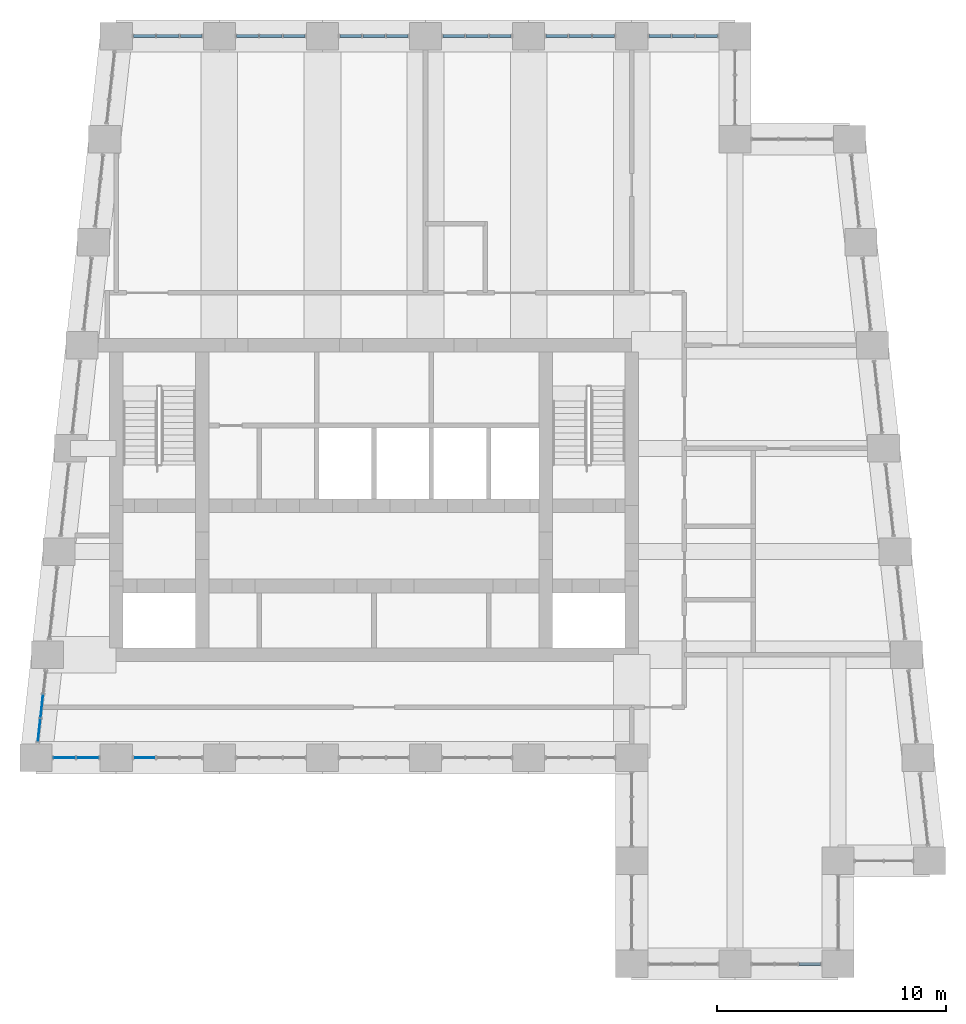
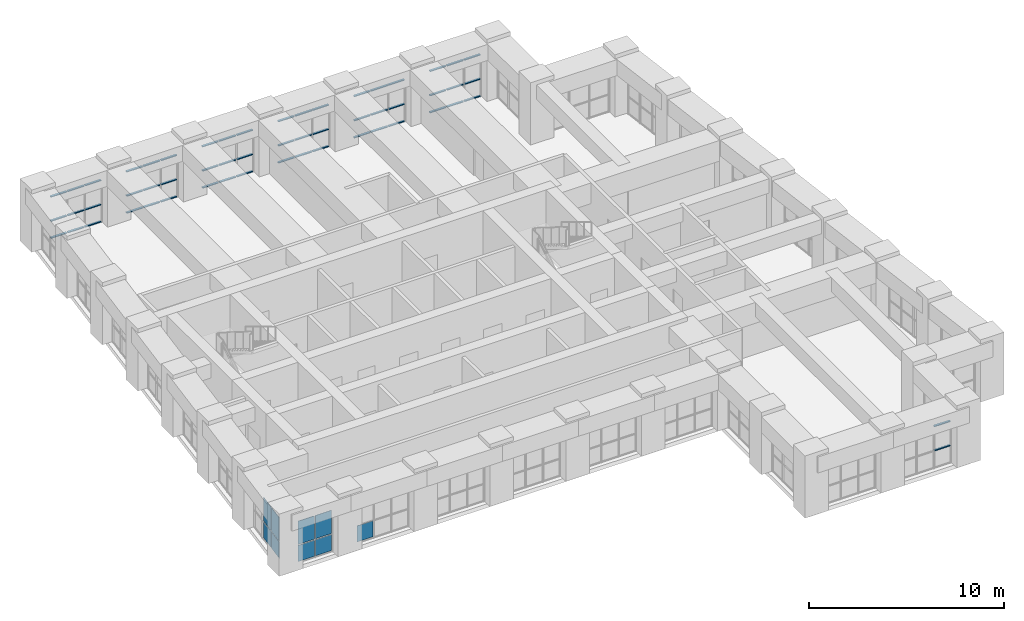
# One storey, part 11 of 18: 56 members, 9 plates, 10 elements without a shape of their own.
"""IFC4 building model written with IfcOpenShell, lengths in metres."""

from ifc_helpers import new_model, si_unit, direction, frame, origin, origin_2d, place, context, subcontext, project, spatial, rectangle, extrude, material, layer, layer_set, material_profile, profile_set, type_object, element, aggregate, save


model = new_model("IFC4")

# Units and contexts
model_context = context("Model", 3, precision=1e-05, world=origin(), true_north=direction((0.0, 1.0)))
body_context = subcontext(model_context, "Body", "Model", "MODEL_VIEW")
ifc_project = project(units=[si_unit("LENGTHUNIT", "METRE"), si_unit("AREAUNIT", "SQUARE_METRE"), si_unit("VOLUMEUNIT", "CUBIC_METRE"), si_unit("PLANEANGLEUNIT", "RADIAN"), si_unit("MASSUNIT", "GRAM", prefix="KILO")], contexts=[model_context])

# Site, building, storey
site_placement = place(None, origin())
site = spatial("IfcSite", under=ifc_project, at=site_placement, CompositionType="ELEMENT")
building_placement = place(site_placement, origin())
building = spatial("IfcBuilding", under=site, at=building_placement, Name="Kilele Tower Hotel", CompositionType="ELEMENT")
storey_placement = place(building_placement, frame((0.0, 0.0, 281.89990234375)))
storey = spatial("IfcBuildingStorey", under=building, at=storey_placement, Name="L72", CompositionType="ELEMENT", Elevation=281.89990234375)

# Curtain wall, members
ifc_material_1 = material(Name="Aluminium curtain wall, clear double glazing", Category="aluminium")
curtain_wall_type = type_object("IfcCurtainWallType", Name="Sky restaurant curtain wall CW-5", PredefinedType="NOTDEFINED", material=ifc_material_1)
curtain_wall_1_placement = place(storey_placement, origin())
curtain_wall_1 = element("IfcCurtainWall", 1, at=curtain_wall_1_placement, inside=storey, type_object=curtain_wall_type, Name="Sky restaurant curtain wall CW-5 L72", PredefinedType="NOTDEFINED")
ifc_material_2 = material(Name="Aluminium EN AW-6063 T6", Category="aluminium")
ifc_material_profile = material_profile(ifc_material_2, rectangle(XDim=0.1201171875, YDim=0.06005859375, at=origin_2d()))
ifc_profile_set = profile_set([ifc_material_profile], Name="Aluminium EN AW-6063 T6")
member_type = type_object("IfcMemberType", Name="Transom 60x120 CW-5", PredefinedType="USERDEFINED", material=ifc_profile_set)
member_1_placement = place(storey_placement, frame((43.296630859375, 0.0, 1.10009765625), z_axis=(1.0, 0.0, 0.0), x_axis=(0.0, 1.0, 0.0)))
member_1 = element("IfcMember", 2, at=member_1_placement, type_object=member_type, Name="CW-5 transom 3.2", ObjectType="TRANSOM", PredefinedType="USERDEFINED", context=body_context, shape_type="SweptSolid", body=[
    extrude(rectangle(XDim=0.1201171875, YDim=0.06005859375, at=origin_2d()), origin(), (0.0, 0.0, 1.0), 0.943359375),
])
member_2_placement = place(storey_placement, frame((43.296630859375, 0.0, 2.6201171875), z_axis=(1.0, 0.0, 0.0), x_axis=(0.0, 1.0, 0.0)))
member_2 = element("IfcMember", 3, at=member_2_placement, type_object=member_type, Name="CW-5 transom 3.3", ObjectType="TRANSOM", PredefinedType="USERDEFINED", context=body_context, shape_type="SweptSolid", body=[
    extrude(rectangle(XDim=0.1201171875, YDim=0.06005859375, at=origin_2d()), origin(), (0.0, 0.0, 1.0), 0.943359375),
])
aggregate(curtain_wall_1, [member_1, member_2])

curtain_wall_2_placement = place(storey_placement, origin())
curtain_wall_2 = element("IfcCurtainWall", 4, at=curtain_wall_2_placement, inside=storey, type_object=curtain_wall_type, Name="Sky restaurant curtain wall CW-5 L72", PredefinedType="NOTDEFINED")
member_3_placement = place(storey_placement, frame((39.739990234375, 40.5, 0.030029296875), z_axis=(-1.0, 0.0, 0.0), x_axis=(0.0, -1.0, 0.0)))
member_3 = element("IfcMember", 5, at=member_3_placement, type_object=member_type, Name="CW-5 transom 1.1", ObjectType="TRANSOM", PredefinedType="USERDEFINED", context=body_context, shape_type="SweptSolid", body=[
    extrude(rectangle(XDim=0.1201171875, YDim=0.06005859375, at=origin_2d()), origin(), (0.0, 0.0, 1.0), 0.943359375),
])
member_4_placement = place(storey_placement, frame((39.739990234375, 40.5, 1.10009765625), z_axis=(-1.0, 0.0, 0.0), x_axis=(0.0, -1.0, 0.0)))
member_4 = element("IfcMember", 6, at=member_4_placement, type_object=member_type, Name="CW-5 transom 1.2", ObjectType="TRANSOM", PredefinedType="USERDEFINED", context=body_context, shape_type="SweptSolid", body=[
    extrude(rectangle(XDim=0.1201171875, YDim=0.06005859375, at=origin_2d()), origin(), (0.0, 0.0, 1.0), 0.943359375),
])
member_5_placement = place(storey_placement, frame((39.739990234375, 40.5, 2.6201171875), z_axis=(-1.0, 0.0, 0.0), x_axis=(0.0, -1.0, 0.0)))
member_5 = element("IfcMember", 7, at=member_5_placement, type_object=member_type, Name="CW-5 transom 1.3", ObjectType="TRANSOM", PredefinedType="USERDEFINED", context=body_context, shape_type="SweptSolid", body=[
    extrude(rectangle(XDim=0.1201171875, YDim=0.06005859375, at=origin_2d()), origin(), (0.0, 0.0, 1.0), 0.943359375),
])
member_6_placement = place(storey_placement, frame((38.736572265625, 40.5, 0.030029296875), z_axis=(-1.0, 0.0, 0.0), x_axis=(0.0, -1.0, 0.0)))
member_6 = element("IfcMember", 8, at=member_6_placement, type_object=member_type, Name="CW-5 transom 2.1", ObjectType="TRANSOM", PredefinedType="USERDEFINED", context=body_context, shape_type="SweptSolid", body=[
    extrude(rectangle(XDim=0.1201171875, YDim=0.06005859375, at=origin_2d()), origin(), (0.0, 0.0, 1.0), 0.97314453125),
])
member_7_placement = place(storey_placement, frame((38.736572265625, 40.5, 1.10009765625), z_axis=(-1.0, 0.0, 0.0), x_axis=(0.0, -1.0, 0.0)))
member_7 = element("IfcMember", 9, at=member_7_placement, type_object=member_type, Name="CW-5 transom 2.2", ObjectType="TRANSOM", PredefinedType="USERDEFINED", context=body_context, shape_type="SweptSolid", body=[
    extrude(rectangle(XDim=0.1201171875, YDim=0.06005859375, at=origin_2d()), origin(), (0.0, 0.0, 1.0), 0.97314453125),
])
member_8_placement = place(storey_placement, frame((38.736572265625, 40.5, 2.6201171875), z_axis=(-1.0, 0.0, 0.0), x_axis=(0.0, -1.0, 0.0)))
member_8 = element("IfcMember", 10, at=member_8_placement, type_object=member_type, Name="CW-5 transom 2.3", ObjectType="TRANSOM", PredefinedType="USERDEFINED", context=body_context, shape_type="SweptSolid", body=[
    extrude(rectangle(XDim=0.1201171875, YDim=0.06005859375, at=origin_2d()), origin(), (0.0, 0.0, 1.0), 0.97314453125),
])
member_9_placement = place(storey_placement, frame((37.703369140625, 40.5, 0.030029296875), z_axis=(-1.0, 0.0, 0.0), x_axis=(0.0, -1.0, 0.0)))
member_9 = element("IfcMember", 11, at=member_9_placement, type_object=member_type, Name="CW-5 transom 3.1", ObjectType="TRANSOM", PredefinedType="USERDEFINED", context=body_context, shape_type="SweptSolid", body=[
    extrude(rectangle(XDim=0.1201171875, YDim=0.06005859375, at=origin_2d()), origin(), (0.0, 0.0, 1.0), 0.943359375),
])
member_10_placement = place(storey_placement, frame((37.703369140625, 40.5, 1.10009765625), z_axis=(-1.0, 0.0, 0.0), x_axis=(0.0, -1.0, 0.0)))
member_10 = element("IfcMember", 12, at=member_10_placement, type_object=member_type, Name="CW-5 transom 3.2", ObjectType="TRANSOM", PredefinedType="USERDEFINED", context=body_context, shape_type="SweptSolid", body=[
    extrude(rectangle(XDim=0.1201171875, YDim=0.06005859375, at=origin_2d()), origin(), (0.0, 0.0, 1.0), 0.943359375),
])
member_11_placement = place(storey_placement, frame((37.703369140625, 40.5, 2.6201171875), z_axis=(-1.0, 0.0, 0.0), x_axis=(0.0, -1.0, 0.0)))
member_11 = element("IfcMember", 13, at=member_11_placement, type_object=member_type, Name="CW-5 transom 3.3", ObjectType="TRANSOM", PredefinedType="USERDEFINED", context=body_context, shape_type="SweptSolid", body=[
    extrude(rectangle(XDim=0.1201171875, YDim=0.06005859375, at=origin_2d()), origin(), (0.0, 0.0, 1.0), 0.943359375),
])
aggregate(curtain_wall_2, [member_3, member_4, member_5, member_6, member_7, member_8, member_9, member_10, member_11])

curtain_wall_3_placement = place(storey_placement, origin())
curtain_wall_3 = element("IfcCurtainWall", 14, at=curtain_wall_3_placement, inside=storey, type_object=curtain_wall_type, Name="Sky restaurant curtain wall CW-5 L72", PredefinedType="NOTDEFINED")
member_12_placement = place(storey_placement, frame((35.239990234375, 40.5, 0.030029296875), z_axis=(-1.0, 0.0, 0.0), x_axis=(0.0, -1.0, 0.0)))
member_12 = element("IfcMember", 15, at=member_12_placement, type_object=member_type, Name="CW-5 transom 1.1", ObjectType="TRANSOM", PredefinedType="USERDEFINED", context=body_context, shape_type="SweptSolid", body=[
    extrude(rectangle(XDim=0.1201171875, YDim=0.06005859375, at=origin_2d()), origin(), (0.0, 0.0, 1.0), 0.943359375),
])
member_13_placement = place(storey_placement, frame((35.239990234375, 40.5, 1.10009765625), z_axis=(-1.0, 0.0, 0.0), x_axis=(0.0, -1.0, 0.0)))
member_13 = element("IfcMember", 16, at=member_13_placement, type_object=member_type, Name="CW-5 transom 1.2", ObjectType="TRANSOM", PredefinedType="USERDEFINED", context=body_context, shape_type="SweptSolid", body=[
    extrude(rectangle(XDim=0.1201171875, YDim=0.06005859375, at=origin_2d()), origin(), (0.0, 0.0, 1.0), 0.943359375),
])
member_14_placement = place(storey_placement, frame((35.239990234375, 40.5, 2.6201171875), z_axis=(-1.0, 0.0, 0.0), x_axis=(0.0, -1.0, 0.0)))
member_14 = element("IfcMember", 17, at=member_14_placement, type_object=member_type, Name="CW-5 transom 1.3", ObjectType="TRANSOM", PredefinedType="USERDEFINED", context=body_context, shape_type="SweptSolid", body=[
    extrude(rectangle(XDim=0.1201171875, YDim=0.06005859375, at=origin_2d()), origin(), (0.0, 0.0, 1.0), 0.943359375),
])
member_15_placement = place(storey_placement, frame((34.236572265625, 40.5, 0.030029296875), z_axis=(-1.0, 0.0, 0.0), x_axis=(0.0, -1.0, 0.0)))
member_15 = element("IfcMember", 18, at=member_15_placement, type_object=member_type, Name="CW-5 transom 2.1", ObjectType="TRANSOM", PredefinedType="USERDEFINED", context=body_context, shape_type="SweptSolid", body=[
    extrude(rectangle(XDim=0.1201171875, YDim=0.06005859375, at=origin_2d()), origin(), (0.0, 0.0, 1.0), 0.97314453125),
])
member_16_placement = place(storey_placement, frame((34.236572265625, 40.5, 1.10009765625), z_axis=(-1.0, 0.0, 0.0), x_axis=(0.0, -1.0, 0.0)))
member_16 = element("IfcMember", 19, at=member_16_placement, type_object=member_type, Name="CW-5 transom 2.2", ObjectType="TRANSOM", PredefinedType="USERDEFINED", context=body_context, shape_type="SweptSolid", body=[
    extrude(rectangle(XDim=0.1201171875, YDim=0.06005859375, at=origin_2d()), origin(), (0.0, 0.0, 1.0), 0.97314453125),
])
member_17_placement = place(storey_placement, frame((34.236572265625, 40.5, 2.6201171875), z_axis=(-1.0, 0.0, 0.0), x_axis=(0.0, -1.0, 0.0)))
member_17 = element("IfcMember", 20, at=member_17_placement, type_object=member_type, Name="CW-5 transom 2.3", ObjectType="TRANSOM", PredefinedType="USERDEFINED", context=body_context, shape_type="SweptSolid", body=[
    extrude(rectangle(XDim=0.1201171875, YDim=0.06005859375, at=origin_2d()), origin(), (0.0, 0.0, 1.0), 0.97314453125),
])
member_18_placement = place(storey_placement, frame((33.203369140625, 40.5, 0.030029296875), z_axis=(-1.0, 0.0, 0.0), x_axis=(0.0, -1.0, 0.0)))
member_18 = element("IfcMember", 21, at=member_18_placement, type_object=member_type, Name="CW-5 transom 3.1", ObjectType="TRANSOM", PredefinedType="USERDEFINED", context=body_context, shape_type="SweptSolid", body=[
    extrude(rectangle(XDim=0.1201171875, YDim=0.06005859375, at=origin_2d()), origin(), (0.0, 0.0, 1.0), 0.943359375),
])
member_19_placement = place(storey_placement, frame((33.203369140625, 40.5, 1.10009765625), z_axis=(-1.0, 0.0, 0.0), x_axis=(0.0, -1.0, 0.0)))
member_19 = element("IfcMember", 22, at=member_19_placement, type_object=member_type, Name="CW-5 transom 3.2", ObjectType="TRANSOM", PredefinedType="USERDEFINED", context=body_context, shape_type="SweptSolid", body=[
    extrude(rectangle(XDim=0.1201171875, YDim=0.06005859375, at=origin_2d()), origin(), (0.0, 0.0, 1.0), 0.943359375),
])
member_20_placement = place(storey_placement, frame((33.203369140625, 40.5, 2.6201171875), z_axis=(-1.0, 0.0, 0.0), x_axis=(0.0, -1.0, 0.0)))
member_20 = element("IfcMember", 23, at=member_20_placement, type_object=member_type, Name="CW-5 transom 3.3", ObjectType="TRANSOM", PredefinedType="USERDEFINED", context=body_context, shape_type="SweptSolid", body=[
    extrude(rectangle(XDim=0.1201171875, YDim=0.06005859375, at=origin_2d()), origin(), (0.0, 0.0, 1.0), 0.943359375),
])
aggregate(curtain_wall_3, [member_12, member_13, member_14, member_15, member_16, member_17, member_18, member_19, member_20])

curtain_wall_4_placement = place(storey_placement, origin())
curtain_wall_4 = element("IfcCurtainWall", 24, at=curtain_wall_4_placement, inside=storey, type_object=curtain_wall_type, Name="Sky restaurant curtain wall CW-5 L72", PredefinedType="NOTDEFINED")
member_21_placement = place(storey_placement, frame((30.739990234375, 40.5, 0.030029296875), z_axis=(-1.0, 0.0, 0.0), x_axis=(0.0, -1.0, 0.0)))
member_21 = element("IfcMember", 25, at=member_21_placement, type_object=member_type, Name="CW-5 transom 1.1", ObjectType="TRANSOM", PredefinedType="USERDEFINED", context=body_context, shape_type="SweptSolid", body=[
    extrude(rectangle(XDim=0.1201171875, YDim=0.06005859375, at=origin_2d()), origin(), (0.0, 0.0, 1.0), 0.943359375),
])
member_22_placement = place(storey_placement, frame((30.739990234375, 40.5, 1.10009765625), z_axis=(-1.0, 0.0, 0.0), x_axis=(0.0, -1.0, 0.0)))
member_22 = element("IfcMember", 26, at=member_22_placement, type_object=member_type, Name="CW-5 transom 1.2", ObjectType="TRANSOM", PredefinedType="USERDEFINED", context=body_context, shape_type="SweptSolid", body=[
    extrude(rectangle(XDim=0.1201171875, YDim=0.06005859375, at=origin_2d()), origin(), (0.0, 0.0, 1.0), 0.943359375),
])
member_23_placement = place(storey_placement, frame((30.739990234375, 40.5, 2.6201171875), z_axis=(-1.0, 0.0, 0.0), x_axis=(0.0, -1.0, 0.0)))
member_23 = element("IfcMember", 27, at=member_23_placement, type_object=member_type, Name="CW-5 transom 1.3", ObjectType="TRANSOM", PredefinedType="USERDEFINED", context=body_context, shape_type="SweptSolid", body=[
    extrude(rectangle(XDim=0.1201171875, YDim=0.06005859375, at=origin_2d()), origin(), (0.0, 0.0, 1.0), 0.943359375),
])
member_24_placement = place(storey_placement, frame((29.736572265625, 40.5, 0.030029296875), z_axis=(-1.0, 0.0, 0.0), x_axis=(0.0, -1.0, 0.0)))
member_24 = element("IfcMember", 28, at=member_24_placement, type_object=member_type, Name="CW-5 transom 2.1", ObjectType="TRANSOM", PredefinedType="USERDEFINED", context=body_context, shape_type="SweptSolid", body=[
    extrude(rectangle(XDim=0.1201171875, YDim=0.06005859375, at=origin_2d()), origin(), (0.0, 0.0, 1.0), 0.97314453125),
])
member_25_placement = place(storey_placement, frame((29.736572265625, 40.5, 1.10009765625), z_axis=(-1.0, 0.0, 0.0), x_axis=(0.0, -1.0, 0.0)))
member_25 = element("IfcMember", 29, at=member_25_placement, type_object=member_type, Name="CW-5 transom 2.2", ObjectType="TRANSOM", PredefinedType="USERDEFINED", context=body_context, shape_type="SweptSolid", body=[
    extrude(rectangle(XDim=0.1201171875, YDim=0.06005859375, at=origin_2d()), origin(), (0.0, 0.0, 1.0), 0.97314453125),
])
member_26_placement = place(storey_placement, frame((29.736572265625, 40.5, 2.6201171875), z_axis=(-1.0, 0.0, 0.0), x_axis=(0.0, -1.0, 0.0)))
member_26 = element("IfcMember", 30, at=member_26_placement, type_object=member_type, Name="CW-5 transom 2.3", ObjectType="TRANSOM", PredefinedType="USERDEFINED", context=body_context, shape_type="SweptSolid", body=[
    extrude(rectangle(XDim=0.1201171875, YDim=0.06005859375, at=origin_2d()), origin(), (0.0, 0.0, 1.0), 0.97314453125),
])
member_27_placement = place(storey_placement, frame((28.703369140625, 40.5, 0.030029296875), z_axis=(-1.0, 0.0, 0.0), x_axis=(0.0, -1.0, 0.0)))
member_27 = element("IfcMember", 31, at=member_27_placement, type_object=member_type, Name="CW-5 transom 3.1", ObjectType="TRANSOM", PredefinedType="USERDEFINED", context=body_context, shape_type="SweptSolid", body=[
    extrude(rectangle(XDim=0.1201171875, YDim=0.06005859375, at=origin_2d()), origin(), (0.0, 0.0, 1.0), 0.943359375),
])
member_28_placement = place(storey_placement, frame((28.703369140625, 40.5, 1.10009765625), z_axis=(-1.0, 0.0, 0.0), x_axis=(0.0, -1.0, 0.0)))
member_28 = element("IfcMember", 32, at=member_28_placement, type_object=member_type, Name="CW-5 transom 3.2", ObjectType="TRANSOM", PredefinedType="USERDEFINED", context=body_context, shape_type="SweptSolid", body=[
    extrude(rectangle(XDim=0.1201171875, YDim=0.06005859375, at=origin_2d()), origin(), (0.0, 0.0, 1.0), 0.943359375),
])
member_29_placement = place(storey_placement, frame((28.703369140625, 40.5, 2.6201171875), z_axis=(-1.0, 0.0, 0.0), x_axis=(0.0, -1.0, 0.0)))
member_29 = element("IfcMember", 33, at=member_29_placement, type_object=member_type, Name="CW-5 transom 3.3", ObjectType="TRANSOM", PredefinedType="USERDEFINED", context=body_context, shape_type="SweptSolid", body=[
    extrude(rectangle(XDim=0.1201171875, YDim=0.06005859375, at=origin_2d()), origin(), (0.0, 0.0, 1.0), 0.943359375),
])
aggregate(curtain_wall_4, [member_21, member_22, member_23, member_24, member_25, member_26, member_27, member_28, member_29])

curtain_wall_5_placement = place(storey_placement, origin())
curtain_wall_5 = element("IfcCurtainWall", 34, at=curtain_wall_5_placement, inside=storey, type_object=curtain_wall_type, Name="Sky restaurant curtain wall CW-5 L72", PredefinedType="NOTDEFINED")
member_30_placement = place(storey_placement, frame((26.239990234375, 40.5, 0.030029296875), z_axis=(-1.0, 0.0, 0.0), x_axis=(0.0, -1.0, 0.0)))
member_30 = element("IfcMember", 35, at=member_30_placement, type_object=member_type, Name="CW-5 transom 1.1", ObjectType="TRANSOM", PredefinedType="USERDEFINED", context=body_context, shape_type="SweptSolid", body=[
    extrude(rectangle(XDim=0.1201171875, YDim=0.06005859375, at=origin_2d()), origin(), (0.0, 0.0, 1.0), 0.943359375),
])
member_31_placement = place(storey_placement, frame((26.239990234375, 40.5, 1.10009765625), z_axis=(-1.0, 0.0, 0.0), x_axis=(0.0, -1.0, 0.0)))
member_31 = element("IfcMember", 36, at=member_31_placement, type_object=member_type, Name="CW-5 transom 1.2", ObjectType="TRANSOM", PredefinedType="USERDEFINED", context=body_context, shape_type="SweptSolid", body=[
    extrude(rectangle(XDim=0.1201171875, YDim=0.06005859375, at=origin_2d()), origin(), (0.0, 0.0, 1.0), 0.943359375),
])
member_32_placement = place(storey_placement, frame((26.239990234375, 40.5, 2.6201171875), z_axis=(-1.0, 0.0, 0.0), x_axis=(0.0, -1.0, 0.0)))
member_32 = element("IfcMember", 37, at=member_32_placement, type_object=member_type, Name="CW-5 transom 1.3", ObjectType="TRANSOM", PredefinedType="USERDEFINED", context=body_context, shape_type="SweptSolid", body=[
    extrude(rectangle(XDim=0.1201171875, YDim=0.06005859375, at=origin_2d()), origin(), (0.0, 0.0, 1.0), 0.943359375),
])
member_33_placement = place(storey_placement, frame((25.236572265625, 40.5, 0.030029296875), z_axis=(-1.0, 0.0, 0.0), x_axis=(0.0, -1.0, 0.0)))
member_33 = element("IfcMember", 38, at=member_33_placement, type_object=member_type, Name="CW-5 transom 2.1", ObjectType="TRANSOM", PredefinedType="USERDEFINED", context=body_context, shape_type="SweptSolid", body=[
    extrude(rectangle(XDim=0.1201171875, YDim=0.06005859375, at=origin_2d()), origin(), (0.0, 0.0, 1.0), 0.97314453125),
])
member_34_placement = place(storey_placement, frame((25.236572265625, 40.5, 1.10009765625), z_axis=(-1.0, 0.0, 0.0), x_axis=(0.0, -1.0, 0.0)))
member_34 = element("IfcMember", 39, at=member_34_placement, type_object=member_type, Name="CW-5 transom 2.2", ObjectType="TRANSOM", PredefinedType="USERDEFINED", context=body_context, shape_type="SweptSolid", body=[
    extrude(rectangle(XDim=0.1201171875, YDim=0.06005859375, at=origin_2d()), origin(), (0.0, 0.0, 1.0), 0.97314453125),
])
member_35_placement = place(storey_placement, frame((25.236572265625, 40.5, 2.6201171875), z_axis=(-1.0, 0.0, 0.0), x_axis=(0.0, -1.0, 0.0)))
member_35 = element("IfcMember", 40, at=member_35_placement, type_object=member_type, Name="CW-5 transom 2.3", ObjectType="TRANSOM", PredefinedType="USERDEFINED", context=body_context, shape_type="SweptSolid", body=[
    extrude(rectangle(XDim=0.1201171875, YDim=0.06005859375, at=origin_2d()), origin(), (0.0, 0.0, 1.0), 0.97314453125),
])
member_36_placement = place(storey_placement, frame((24.203369140625, 40.5, 0.030029296875), z_axis=(-1.0, 0.0, 0.0), x_axis=(0.0, -1.0, 0.0)))
member_36 = element("IfcMember", 41, at=member_36_placement, type_object=member_type, Name="CW-5 transom 3.1", ObjectType="TRANSOM", PredefinedType="USERDEFINED", context=body_context, shape_type="SweptSolid", body=[
    extrude(rectangle(XDim=0.1201171875, YDim=0.06005859375, at=origin_2d()), origin(), (0.0, 0.0, 1.0), 0.943359375),
])
member_37_placement = place(storey_placement, frame((24.203369140625, 40.5, 1.10009765625), z_axis=(-1.0, 0.0, 0.0), x_axis=(0.0, -1.0, 0.0)))
member_37 = element("IfcMember", 42, at=member_37_placement, type_object=member_type, Name="CW-5 transom 3.2", ObjectType="TRANSOM", PredefinedType="USERDEFINED", context=body_context, shape_type="SweptSolid", body=[
    extrude(rectangle(XDim=0.1201171875, YDim=0.06005859375, at=origin_2d()), origin(), (0.0, 0.0, 1.0), 0.943359375),
])
member_38_placement = place(storey_placement, frame((24.203369140625, 40.5, 2.6201171875), z_axis=(-1.0, 0.0, 0.0), x_axis=(0.0, -1.0, 0.0)))
member_38 = element("IfcMember", 43, at=member_38_placement, type_object=member_type, Name="CW-5 transom 3.3", ObjectType="TRANSOM", PredefinedType="USERDEFINED", context=body_context, shape_type="SweptSolid", body=[
    extrude(rectangle(XDim=0.1201171875, YDim=0.06005859375, at=origin_2d()), origin(), (0.0, 0.0, 1.0), 0.943359375),
])
aggregate(curtain_wall_5, [member_30, member_31, member_32, member_33, member_34, member_35, member_36, member_37, member_38])

curtain_wall_6_placement = place(storey_placement, origin())
curtain_wall_6 = element("IfcCurtainWall", 44, at=curtain_wall_6_placement, inside=storey, type_object=curtain_wall_type, Name="Sky restaurant curtain wall CW-5 L72", PredefinedType="NOTDEFINED")
member_39_placement = place(storey_placement, frame((21.739990234375, 40.5, 0.030029296875), z_axis=(-1.0, 0.0, 0.0), x_axis=(0.0, -1.0, 0.0)))
member_39 = element("IfcMember", 45, at=member_39_placement, type_object=member_type, Name="CW-5 transom 1.1", ObjectType="TRANSOM", PredefinedType="USERDEFINED", context=body_context, shape_type="SweptSolid", body=[
    extrude(rectangle(XDim=0.1201171875, YDim=0.06005859375, at=origin_2d()), origin(), (0.0, 0.0, 1.0), 0.943359375),
])
member_40_placement = place(storey_placement, frame((21.739990234375, 40.5, 1.10009765625), z_axis=(-1.0, 0.0, 0.0), x_axis=(0.0, -1.0, 0.0)))
member_40 = element("IfcMember", 46, at=member_40_placement, type_object=member_type, Name="CW-5 transom 1.2", ObjectType="TRANSOM", PredefinedType="USERDEFINED", context=body_context, shape_type="SweptSolid", body=[
    extrude(rectangle(XDim=0.1201171875, YDim=0.06005859375, at=origin_2d()), origin(), (0.0, 0.0, 1.0), 0.943359375),
])
member_41_placement = place(storey_placement, frame((21.739990234375, 40.5, 2.6201171875), z_axis=(-1.0, 0.0, 0.0), x_axis=(0.0, -1.0, 0.0)))
member_41 = element("IfcMember", 47, at=member_41_placement, type_object=member_type, Name="CW-5 transom 1.3", ObjectType="TRANSOM", PredefinedType="USERDEFINED", context=body_context, shape_type="SweptSolid", body=[
    extrude(rectangle(XDim=0.1201171875, YDim=0.06005859375, at=origin_2d()), origin(), (0.0, 0.0, 1.0), 0.943359375),
])
member_42_placement = place(storey_placement, frame((20.736572265625, 40.5, 0.030029296875), z_axis=(-1.0, 0.0, 0.0), x_axis=(0.0, -1.0, 0.0)))
member_42 = element("IfcMember", 48, at=member_42_placement, type_object=member_type, Name="CW-5 transom 2.1", ObjectType="TRANSOM", PredefinedType="USERDEFINED", context=body_context, shape_type="SweptSolid", body=[
    extrude(rectangle(XDim=0.1201171875, YDim=0.06005859375, at=origin_2d()), origin(), (0.0, 0.0, 1.0), 0.97314453125),
])
member_43_placement = place(storey_placement, frame((20.736572265625, 40.5, 1.10009765625), z_axis=(-1.0, 0.0, 0.0), x_axis=(0.0, -1.0, 0.0)))
member_43 = element("IfcMember", 49, at=member_43_placement, type_object=member_type, Name="CW-5 transom 2.2", ObjectType="TRANSOM", PredefinedType="USERDEFINED", context=body_context, shape_type="SweptSolid", body=[
    extrude(rectangle(XDim=0.1201171875, YDim=0.06005859375, at=origin_2d()), origin(), (0.0, 0.0, 1.0), 0.97314453125),
])
member_44_placement = place(storey_placement, frame((20.736572265625, 40.5, 2.6201171875), z_axis=(-1.0, 0.0, 0.0), x_axis=(0.0, -1.0, 0.0)))
member_44 = element("IfcMember", 50, at=member_44_placement, type_object=member_type, Name="CW-5 transom 2.3", ObjectType="TRANSOM", PredefinedType="USERDEFINED", context=body_context, shape_type="SweptSolid", body=[
    extrude(rectangle(XDim=0.1201171875, YDim=0.06005859375, at=origin_2d()), origin(), (0.0, 0.0, 1.0), 0.97314453125),
])
member_45_placement = place(storey_placement, frame((19.703369140625, 40.5, 0.030029296875), z_axis=(-1.0, 0.0, 0.0), x_axis=(0.0, -1.0, 0.0)))
member_45 = element("IfcMember", 51, at=member_45_placement, type_object=member_type, Name="CW-5 transom 3.1", ObjectType="TRANSOM", PredefinedType="USERDEFINED", context=body_context, shape_type="SweptSolid", body=[
    extrude(rectangle(XDim=0.1201171875, YDim=0.06005859375, at=origin_2d()), origin(), (0.0, 0.0, 1.0), 0.943359375),
])
member_46_placement = place(storey_placement, frame((19.703369140625, 40.5, 1.10009765625), z_axis=(-1.0, 0.0, 0.0), x_axis=(0.0, -1.0, 0.0)))
member_46 = element("IfcMember", 52, at=member_46_placement, type_object=member_type, Name="CW-5 transom 3.2", ObjectType="TRANSOM", PredefinedType="USERDEFINED", context=body_context, shape_type="SweptSolid", body=[
    extrude(rectangle(XDim=0.1201171875, YDim=0.06005859375, at=origin_2d()), origin(), (0.0, 0.0, 1.0), 0.943359375),
])
member_47_placement = place(storey_placement, frame((19.703369140625, 40.5, 2.6201171875), z_axis=(-1.0, 0.0, 0.0), x_axis=(0.0, -1.0, 0.0)))
member_47 = element("IfcMember", 53, at=member_47_placement, type_object=member_type, Name="CW-5 transom 3.3", ObjectType="TRANSOM", PredefinedType="USERDEFINED", context=body_context, shape_type="SweptSolid", body=[
    extrude(rectangle(XDim=0.1201171875, YDim=0.06005859375, at=origin_2d()), origin(), (0.0, 0.0, 1.0), 0.943359375),
])
aggregate(curtain_wall_6, [member_39, member_40, member_41, member_42, member_43, member_44, member_45, member_46, member_47])

curtain_wall_7_placement = place(storey_placement, origin())
curtain_wall_7 = element("IfcCurtainWall", 54, at=curtain_wall_7_placement, inside=storey, type_object=curtain_wall_type, Name="Sky restaurant curtain wall CW-5 L72", PredefinedType="NOTDEFINED")
member_48_placement = place(storey_placement, frame((17.239990234375, 40.5, 0.030029296875), z_axis=(-1.0, 0.0, 0.0), x_axis=(0.0, -1.0, 0.0)))
member_48 = element("IfcMember", 55, at=member_48_placement, type_object=member_type, Name="CW-5 transom 1.1", ObjectType="TRANSOM", PredefinedType="USERDEFINED", context=body_context, shape_type="SweptSolid", body=[
    extrude(rectangle(XDim=0.1201171875, YDim=0.06005859375, at=origin_2d()), origin(), (0.0, 0.0, 1.0), 0.943359375),
])
member_49_placement = place(storey_placement, frame((17.239990234375, 40.5, 1.10009765625), z_axis=(-1.0, 0.0, 0.0), x_axis=(0.0, -1.0, 0.0)))
member_49 = element("IfcMember", 56, at=member_49_placement, type_object=member_type, Name="CW-5 transom 1.2", ObjectType="TRANSOM", PredefinedType="USERDEFINED", context=body_context, shape_type="SweptSolid", body=[
    extrude(rectangle(XDim=0.1201171875, YDim=0.06005859375, at=origin_2d()), origin(), (0.0, 0.0, 1.0), 0.943359375),
])
member_50_placement = place(storey_placement, frame((17.239990234375, 40.5, 2.6201171875), z_axis=(-1.0, 0.0, 0.0), x_axis=(0.0, -1.0, 0.0)))
member_50 = element("IfcMember", 57, at=member_50_placement, type_object=member_type, Name="CW-5 transom 1.3", ObjectType="TRANSOM", PredefinedType="USERDEFINED", context=body_context, shape_type="SweptSolid", body=[
    extrude(rectangle(XDim=0.1201171875, YDim=0.06005859375, at=origin_2d()), origin(), (0.0, 0.0, 1.0), 0.943359375),
])
member_51_placement = place(storey_placement, frame((16.236572265625, 40.5, 0.030029296875), z_axis=(-1.0, 0.0, 0.0), x_axis=(0.0, -1.0, 0.0)))
member_51 = element("IfcMember", 58, at=member_51_placement, type_object=member_type, Name="CW-5 transom 2.1", ObjectType="TRANSOM", PredefinedType="USERDEFINED", context=body_context, shape_type="SweptSolid", body=[
    extrude(rectangle(XDim=0.1201171875, YDim=0.06005859375, at=origin_2d()), origin(), (0.0, 0.0, 1.0), 0.97314453125),
])
member_52_placement = place(storey_placement, frame((16.236572265625, 40.5, 1.10009765625), z_axis=(-1.0, 0.0, 0.0), x_axis=(0.0, -1.0, 0.0)))
member_52 = element("IfcMember", 59, at=member_52_placement, type_object=member_type, Name="CW-5 transom 2.2", ObjectType="TRANSOM", PredefinedType="USERDEFINED", context=body_context, shape_type="SweptSolid", body=[
    extrude(rectangle(XDim=0.1201171875, YDim=0.06005859375, at=origin_2d()), origin(), (0.0, 0.0, 1.0), 0.97314453125),
])
member_53_placement = place(storey_placement, frame((16.236572265625, 40.5, 2.6201171875), z_axis=(-1.0, 0.0, 0.0), x_axis=(0.0, -1.0, 0.0)))
member_53 = element("IfcMember", 60, at=member_53_placement, type_object=member_type, Name="CW-5 transom 2.3", ObjectType="TRANSOM", PredefinedType="USERDEFINED", context=body_context, shape_type="SweptSolid", body=[
    extrude(rectangle(XDim=0.1201171875, YDim=0.06005859375, at=origin_2d()), origin(), (0.0, 0.0, 1.0), 0.97314453125),
])
member_54_placement = place(storey_placement, frame((15.203369140625, 40.5, 0.030029296875), z_axis=(-1.0, 0.0, 0.0), x_axis=(0.0, -1.0, 0.0)))
member_54 = element("IfcMember", 61, at=member_54_placement, type_object=member_type, Name="CW-5 transom 3.1", ObjectType="TRANSOM", PredefinedType="USERDEFINED", context=body_context, shape_type="SweptSolid", body=[
    extrude(rectangle(XDim=0.1201171875, YDim=0.06005859375, at=origin_2d()), origin(), (0.0, 0.0, 1.0), 0.943359375),
])
member_55_placement = place(storey_placement, frame((15.203369140625, 40.5, 1.10009765625), z_axis=(-1.0, 0.0, 0.0), x_axis=(0.0, -1.0, 0.0)))
member_55 = element("IfcMember", 62, at=member_55_placement, type_object=member_type, Name="CW-5 transom 3.2", ObjectType="TRANSOM", PredefinedType="USERDEFINED", context=body_context, shape_type="SweptSolid", body=[
    extrude(rectangle(XDim=0.1201171875, YDim=0.06005859375, at=origin_2d()), origin(), (0.0, 0.0, 1.0), 0.943359375),
])
member_56_placement = place(storey_placement, frame((15.203369140625, 40.5, 2.6201171875), z_axis=(-1.0, 0.0, 0.0), x_axis=(0.0, -1.0, 0.0)))
member_56 = element("IfcMember", 63, at=member_56_placement, type_object=member_type, Name="CW-5 transom 3.3", ObjectType="TRANSOM", PredefinedType="USERDEFINED", context=body_context, shape_type="SweptSolid", body=[
    extrude(rectangle(XDim=0.1201171875, YDim=0.06005859375, at=origin_2d()), origin(), (0.0, 0.0, 1.0), 0.943359375),
])
aggregate(curtain_wall_7, [member_48, member_49, member_50, member_51, member_52, member_53, member_54, member_55, member_56])

# Curtain wall, plates
curtain_wall_8_placement = place(storey_placement, origin())
curtain_wall_8 = element("IfcCurtainWall", 64, at=curtain_wall_8_placement, inside=storey, type_object=curtain_wall_type, Name="Sky restaurant curtain wall CW-5 L72", PredefinedType="NOTDEFINED")
ifc_material_3 = material(Name="Clear double glazing", Category="glass")
ifc_layer = layer(ifc_material_3, 0.028076171875)
ifc_layer_set = layer_set([ifc_layer], Name="Clear double glazing")
plate_type = type_object("IfcPlateType", Name="Glazed panel 28 CW-5", PredefinedType="CURTAIN_PANEL", material=ifc_layer_set)
plate_1_placement = place(storey_placement, frame((11.239990234375, 9.0, 0.06005859375), z_axis=(0.0, 0.0, 1.0), x_axis=(1.0, 0.0, 0.0)))
plate_1 = element("IfcPlate", 65, at=plate_1_placement, type_object=plate_type, Name="CW-5 panel 1.1", PredefinedType="CURTAIN_PANEL", context=body_context, shape_type="SweptSolid", body=[
    extrude(rectangle(XDim=0.9599609375, YDim=0.028076171875, at=origin_2d()), origin(), (0.0, 0.0, 1.0), 1.010009765625),
])
plate_2_placement = place(storey_placement, frame((11.239990234375, 9.0, 1.130126953125), z_axis=(0.0, 0.0, 1.0), x_axis=(1.0, 0.0, 0.0)))
plate_2 = element("IfcPlate", 66, at=plate_2_placement, type_object=plate_type, Name="CW-5 panel 1.2", PredefinedType="CURTAIN_PANEL", context=body_context, shape_type="SweptSolid", body=[
    extrude(rectangle(XDim=0.9599609375, YDim=0.028076171875, at=origin_2d()), origin(), (0.0, 0.0, 1.0), 1.4599609375),
])
plate_3_placement = place(storey_placement, frame((12.260009765625, 9.0, 0.06005859375), z_axis=(0.0, 0.0, 1.0), x_axis=(1.0, 0.0, 0.0)))
plate_3 = element("IfcPlate", 67, at=plate_3_placement, type_object=plate_type, Name="CW-5 panel 2.1", PredefinedType="CURTAIN_PANEL", context=body_context, shape_type="SweptSolid", body=[
    extrude(rectangle(XDim=0.9599609375, YDim=0.028076171875, at=origin_2d()), origin(), (0.0, 0.0, 1.0), 1.010009765625),
])
plate_4_placement = place(storey_placement, frame((12.260009765625, 9.0, 1.130126953125), z_axis=(0.0, 0.0, 1.0), x_axis=(1.0, 0.0, 0.0)))
plate_4 = element("IfcPlate", 68, at=plate_4_placement, type_object=plate_type, Name="CW-5 panel 2.2", PredefinedType="CURTAIN_PANEL", context=body_context, shape_type="SweptSolid", body=[
    extrude(rectangle(XDim=0.9599609375, YDim=0.028076171875, at=origin_2d()), origin(), (0.0, 0.0, 1.0), 1.4599609375),
])
aggregate(curtain_wall_8, [plate_1, plate_2, plate_3, plate_4])

# Curtain wall, plate
curtain_wall_9_placement = place(storey_placement, origin())
curtain_wall_9 = element("IfcCurtainWall", 69, at=curtain_wall_9_placement, inside=storey, type_object=curtain_wall_type, Name="Sky restaurant curtain wall CW-5 L72", PredefinedType="NOTDEFINED")
plate_5_placement = place(storey_placement, frame((14.731689453125, 9.0, 0.06005859375), z_axis=(0.0, 0.0, 1.0), x_axis=(1.0, 0.0, 0.0)))
plate_5 = element("IfcPlate", 70, at=plate_5_placement, type_object=plate_type, Name="CW-5 panel 1.1", PredefinedType="CURTAIN_PANEL", context=body_context, shape_type="SweptSolid", body=[
    extrude(rectangle(XDim=0.943359375, YDim=0.028076171875, at=origin_2d()), origin(), (0.0, 0.0, 1.0), 1.010009765625),
])
aggregate(curtain_wall_9, [plate_5])

# Curtain wall, plates
curtain_wall_10_placement = place(storey_placement, origin())
curtain_wall_10 = element("IfcCurtainWall", 71, at=curtain_wall_10_placement, inside=storey, type_object=curtain_wall_type, Name="Sky restaurant curtain wall CW-5 L72", PredefinedType="NOTDEFINED")
plate_6_placement = place(storey_placement, frame((10.25, 11.25, 0.06005859375), z_axis=(0.0, 0.0, 1.0), x_axis=(-0.110431526007, -0.993883734681, 0.0)))
plate_6 = element("IfcPlate", 72, at=plate_6_placement, type_object=plate_type, Name="CW-5 panel 2.1", PredefinedType="CURTAIN_PANEL", context=body_context, shape_type="SweptSolid", body=[
    extrude(rectangle(XDim=1.000244140625, YDim=0.028076171875, at=origin_2d()), origin(), (0.0, 0.0, 1.0), 1.010009765625),
])
plate_7_placement = place(storey_placement, frame((10.25, 11.25, 1.130126953125), z_axis=(0.0, 0.0, 1.0), x_axis=(-0.110431526007, -0.993883734681, 0.0)))
plate_7 = element("IfcPlate", 73, at=plate_7_placement, type_object=plate_type, Name="CW-5 panel 2.2", PredefinedType="CURTAIN_PANEL", context=body_context, shape_type="SweptSolid", body=[
    extrude(rectangle(XDim=1.000244140625, YDim=0.028076171875, at=origin_2d()), origin(), (0.0, 0.0, 1.0), 1.4599609375),
])
plate_8_placement = place(storey_placement, frame((10.134521484375, 10.211181640625, 0.06005859375), z_axis=(0.0, 0.0, 1.0), x_axis=(-0.110431526007, -0.993883734681, 0.0)))
plate_8 = element("IfcPlate", 74, at=plate_8_placement, type_object=plate_type, Name="CW-5 panel 3.1", PredefinedType="CURTAIN_PANEL", context=body_context, shape_type="SweptSolid", body=[
    extrude(rectangle(XDim=0.97021484375, YDim=0.028076171875, at=origin_2d()), origin(), (0.0, 0.0, 1.0), 1.010009765625),
])
plate_9_placement = place(storey_placement, frame((10.134521484375, 10.211181640625, 1.130126953125), z_axis=(0.0, 0.0, 1.0), x_axis=(-0.110431526007, -0.993883734681, 0.0)))
plate_9 = element("IfcPlate", 75, at=plate_9_placement, type_object=plate_type, Name="CW-5 panel 3.2", PredefinedType="CURTAIN_PANEL", context=body_context, shape_type="SweptSolid", body=[
    extrude(rectangle(XDim=0.97021484375, YDim=0.028076171875, at=origin_2d()), origin(), (0.0, 0.0, 1.0), 1.4599609375),
])
aggregate(curtain_wall_10, [plate_6, plate_7, plate_8, plate_9])

save(model, "model.ifc")
